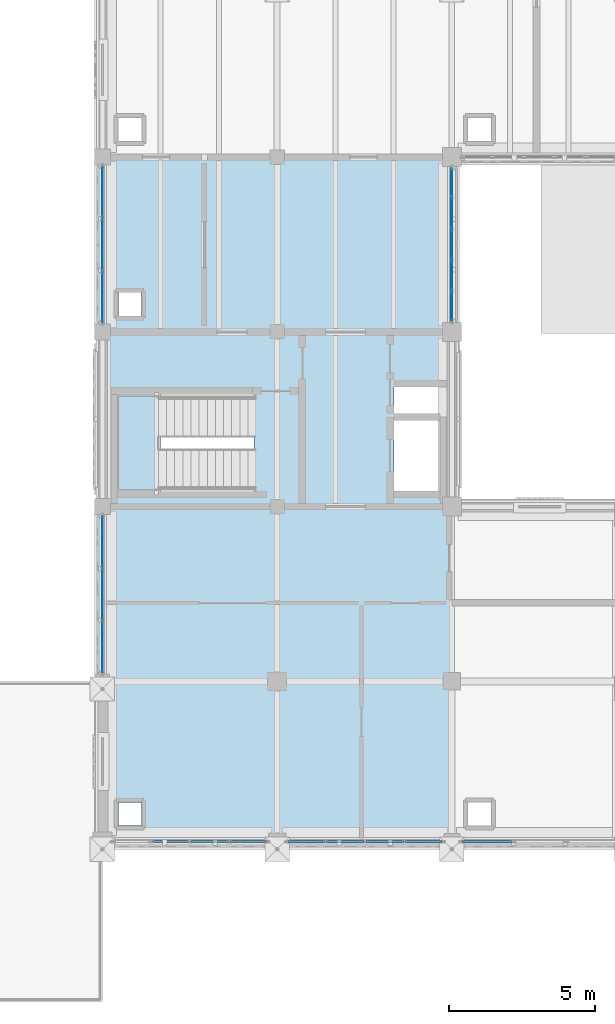
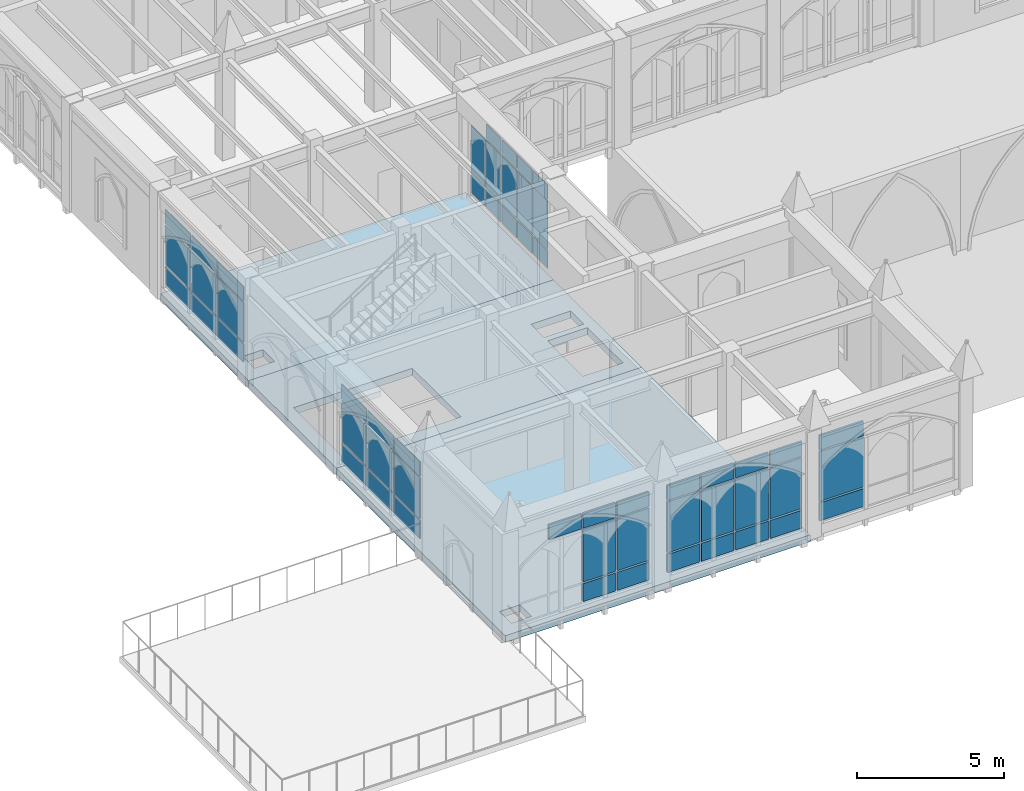
# One storey, part 93 of 143: 54 plates, 4 slabs, 7 elements without a shape of their own.
"""IFC4 building model written with IfcOpenShell, lengths in metres."""

import ifcopenshell
import ifcopenshell.guid

model = None  # the IFC model being written
_history = None  # IfcOwnerHistory: only IFC2X3 demands one
_inside = {}  # id of a spatial element -> (the spatial element, [elements in it])
_under = {}  # id of a project, library or spatial element -> (it, [spatial elements below it])
_declared = {}  # id of a project -> (the project, [libraries it declares])
_typed = {}  # id of a type object -> (the type object, [elements of that type])
_made_of = {}  # id of a material, layer set ... -> (it, [elements and type objects made of it])


def new_model(schema):
    """Start an empty IFC model of exactly this schema.

    Asked for "IFC4X3", IfcOpenShell would pick the latest addendum, in which some entities
    have other attributes; the version numbers below select the first issue.
    IFC2X3 requires an IfcOwnerHistory on every rooted entity: one is made here for all.
    """
    global model, _history
    if schema == "IFC4X3":
        model = ifcopenshell.file(schema_version=(4, 3, 0, 0))
    else:
        model = ifcopenshell.file(schema=schema)
    _inside.clear()
    _under.clear()
    _declared.clear()
    _typed.clear()
    _made_of.clear()
    _history = None
    if model.schema == "IFC2X3":
        org = make("IfcOrganization", Name="unknown")
        user = make(
            "IfcPersonAndOrganization",
            ThePerson=make("IfcPerson", FamilyName="unknown"),
            TheOrganization=org,
        )
        app = make(
            "IfcApplication",
            ApplicationDeveloper=org,
            Version="unknown",
            ApplicationFullName="unknown",
            ApplicationIdentifier="unknown",
        )
        _history = make(
            "IfcOwnerHistory",
            OwningUser=user,
            OwningApplication=app,
            ChangeAction="ADDED",
            CreationDate=0,
        )
    return model


def make(cls, **values):
    """One entity of the class cls with the attributes given. An attribute that is None is left unset."""
    return model.create_entity(
        cls, **{name: value for name, value in values.items() if value is not None}
    )


def rooted(cls, **values):
    """An entity with a GlobalId (a new one), such as an element, a storey or a relation."""
    return make(cls, GlobalId=ifcopenshell.guid.new(), OwnerHistory=_history, **values)


def si_unit(unit_type, name, prefix=None):
    """IfcSIUnit, for example si_unit("LENGTHUNIT", "METRE", prefix="MILLI")."""
    return make("IfcSIUnit", UnitType=unit_type, Prefix=prefix, Name=name)


def assignment(units):
    """IfcUnitAssignment: the units of a project."""
    return None if units is None else make("IfcUnitAssignment", Units=units)


def point(xyz):
    """IfcCartesianPoint."""
    return None if xyz is None else make("IfcCartesianPoint", Coordinates=xyz)


def direction(xyz):
    """IfcDirection."""
    return None if xyz is None else make("IfcDirection", DirectionRatios=xyz)


def frame(location, z_axis=None, x_axis=None):
    """IfcAxis2Placement3D, a coordinate frame: its origin and axes. An axis left out is left unset."""
    return make(
        "IfcAxis2Placement3D",
        Location=point(location),
        Axis=direction(z_axis),
        RefDirection=direction(x_axis),
    )


def frame_2d(location, x_axis=None):
    """IfcAxis2Placement2D, a coordinate frame in the plane: its origin and x axis."""
    return make(
        "IfcAxis2Placement2D", Location=point(location), RefDirection=direction(x_axis)
    )


def origin():
    """The frame at (0, 0, 0) with its axes left unset."""
    return frame((0.0, 0.0, 0.0))


def origin_2d():
    """The frame at (0, 0) in the plane with its x axis left unset."""
    return frame_2d((0.0, 0.0))


def place(relative_to, where):
    """IfcLocalPlacement: puts the frame where relative to a parent placement (None: the world)."""
    return make(
        "IfcLocalPlacement", PlacementRelTo=relative_to, RelativePlacement=where
    )


def context(
    kind, dimensions, precision=None, world=None, true_north=None, identifier=None
):
    """IfcGeometricRepresentationContext, for example the 3D "Model" context."""
    return make(
        "IfcGeometricRepresentationContext",
        ContextIdentifier=identifier,
        ContextType=kind,
        CoordinateSpaceDimension=dimensions,
        Precision=precision,
        WorldCoordinateSystem=world,
        TrueNorth=true_north,
    )


def subcontext(parent, identifier, kind, view, scale=None):
    """IfcGeometricRepresentationSubContext, for example "Body" below "Model"."""
    return make(
        "IfcGeometricRepresentationSubContext",
        ContextIdentifier=identifier,
        ContextType=kind,
        ParentContext=parent,
        TargetScale=scale,
        TargetView=view,
    )


def project(units=None, contexts=None):
    """IfcProject with its units and contexts."""
    return rooted(
        "IfcProject",
        Name="project",
        RepresentationContexts=contexts,
        UnitsInContext=assignment(units),
    )


def spatial(cls, under=None, at=None, **own):
    """A site, building, storey or space (cls), placed at a placement, below another one or the project."""
    s = rooted(cls, ObjectPlacement=at, **own)
    if under is not None:
        _under.setdefault(under.id(), (under, []))[1].append(s)
    return s


def polyline(points):
    """IfcPolyline through the points."""
    return make("IfcPolyline", Points=[point(p) for p in points])


def profile(cls, at=None, kind="AREA", **sizes):
    """A parametric profile (cls). Its sizes go by their IFC names, for example OverallWidth=200.0."""
    return make(cls, ProfileType=kind, Position=at, **sizes)


def rectangle(**sizes):
    """IfcRectangleProfileDef."""
    return profile("IfcRectangleProfileDef", **sizes)


def outline(outer, holes=None, kind="AREA"):
    """IfcArbitraryClosedProfileDef: a profile drawn as a closed curve; with holes, ...WithVoids."""
    if holes is None:
        return make("IfcArbitraryClosedProfileDef", ProfileType=kind, OuterCurve=outer)
    return make(
        "IfcArbitraryProfileDefWithVoids",
        ProfileType=kind,
        OuterCurve=outer,
        InnerCurves=holes,
    )


def extrude(swept, where, along, depth):
    """IfcExtrudedAreaSolid: the profile swept, set in the frame where, extruded along a direction by depth."""
    return make(
        "IfcExtrudedAreaSolid",
        SweptArea=swept,
        Position=where,
        ExtrudedDirection=direction(along),
        Depth=depth,
    )


def shape(context_of_items, identifier, shape_type, items):
    """IfcShapeRepresentation: the items that make up one representation, for example the "Body"."""
    return make(
        "IfcShapeRepresentation",
        ContextOfItems=context_of_items,
        RepresentationIdentifier=identifier,
        RepresentationType=shape_type,
        Items=items,
    )


def material(Name=None, Category=None):
    """IfcMaterial."""
    return make("IfcMaterial", Name=Name, Category=Category)


def layer(
    of_material, thickness, ventilated=None, Name=None, Category=None, Priority=None
):
    """IfcMaterialLayer: one layer of a wall or slab, of a material (None: an air gap)."""
    return make(
        "IfcMaterialLayer",
        Material=of_material,
        LayerThickness=thickness,
        IsVentilated=ventilated,
        Name=Name,
        Category=Category,
        Priority=Priority,
    )


def layer_set(layers, Name=None):
    """IfcMaterialLayerSet."""
    return make("IfcMaterialLayerSet", MaterialLayers=layers, LayerSetName=Name)


def made_of(thing, what):
    """Note that an element or type object is made of a material, layer set ...; save() writes the relation."""
    if what is not None:
        _made_of.setdefault(what.id(), (what, []))[1].append(thing)
    return thing


def type_object(cls, material=None, **own):
    """A type object (cls), such as IfcWallType, which elements share."""
    return made_of(rooted(cls, **own), material)


def element(
    cls,
    number,
    at=None,
    inside=None,
    cuts=None,
    type_object=None,
    material=None,
    context=None,
    identifier="Body",
    shape_type=None,
    held_by="IfcProductDefinitionShape",
    body=None,
    shapes=None,
    **own,
):
    """One element of the class cls, such as IfcWall. Its Tag is "e" and its number.

    at: its placement. inside: the storey or other place that contains it. cuts: it is an
    opening in that element (IfcRelVoidsElement). A single representation is given by context,
    identifier, shape_type and body (its items); several are given by shapes. held_by: the class
    of the entity that holds the representations. save() writes the other relations.
    """
    e = rooted(cls, Tag="e%d" % number, ObjectPlacement=at, **own)
    if body is not None:
        shapes = [shape(context, identifier, shape_type, body)]
    if shapes is not None:
        e.Representation = make(held_by, Representations=shapes)
    if inside is not None:
        _inside.setdefault(inside.id(), (inside, []))[1].append(e)
    if cuts is not None:
        rooted(
            "IfcRelVoidsElement", RelatingBuildingElement=cuts, RelatedOpeningElement=e
        )
    if type_object is not None:
        _typed.setdefault(type_object.id(), (type_object, []))[1].append(e)
    return made_of(e, material)


def aggregate(whole, parts):
    """IfcRelAggregates: a whole, such as a stair, and the parts it consists of."""
    return rooted("IfcRelAggregates", RelatingObject=whole, RelatedObjects=parts)


def save(model, path):
    """Write the relations noted so far, then the file.

    IfcRelAggregates (storeys below a building ...), IfcRelContainedInSpatialStructure (elements
    in a storey), IfcRelDefinesByType, IfcRelAssociatesMaterial and IfcRelDeclares: one each for
    every whole, place, type object, material and project.
    """
    for whole, parts in _under.values():
        aggregate(whole, parts)
    for where, things in _inside.values():
        rooted(
            "IfcRelContainedInSpatialStructure",
            RelatedElements=things,
            RelatingStructure=where,
        )
    for kind, things in _typed.values():
        rooted("IfcRelDefinesByType", RelatedObjects=things, RelatingType=kind)
    for what, things in _made_of.values():
        rooted("IfcRelAssociatesMaterial", RelatedObjects=things, RelatingMaterial=what)
    for by, libraries in _declared.values():
        rooted("IfcRelDeclares", RelatingContext=by, RelatedDefinitions=libraries)
    model.write(path)


model = new_model("IFC4")

# Units and contexts
model_context = context("Model", 3, precision=1e-05, world=origin(), true_north=direction((0.0, 1.0)))
body_context = subcontext(model_context, "Body", "Model", "MODEL_VIEW")
ifc_project = project(units=[si_unit("LENGTHUNIT", "METRE"), si_unit("AREAUNIT", "SQUARE_METRE"), si_unit("VOLUMEUNIT", "CUBIC_METRE"), si_unit("PLANEANGLEUNIT", "RADIAN"), si_unit("MASSUNIT", "GRAM", prefix="KILO")], contexts=[model_context])

# Site, building, storey
site_placement = place(None, origin())
site = spatial("IfcSite", under=ifc_project, at=site_placement, CompositionType="ELEMENT")
building_placement = place(site_placement, origin())
building = spatial("IfcBuilding", under=site, at=building_placement, Name="Cumevento Cable Car Station", CompositionType="ELEMENT")
storey_placement = place(building_placement, frame((0.0, 0.0, 9.0)))
storey = spatial("IfcBuildingStorey", under=building, at=storey_placement, Name="L03", CompositionType="ELEMENT", Elevation=9.0)

# Slabs
ifc_material_1 = material(Name="Concrete C40/50", Category="concrete")
ifc_layer_1 = layer(ifc_material_1, 0.283935546875)
ifc_layer_set_1 = layer_set([ifc_layer_1], Name="Concrete C40/50")
slab_type_1 = type_object("IfcSlabType", Name="Concrete Deck FS-284 284", PredefinedType="FLOOR", material=ifc_layer_set_1)
slab_1_placement = place(storey_placement, frame((0.0, 0.0, -0.283935546875)))
element("IfcSlab", 1, at=slab_1_placement, inside=storey, type_object=slab_type_1, Name="Floor Slab FS-284 L03 B_V4a.1", PredefinedType="FLOOR", context=body_context, shape_type="SweptSolid", body=[
    extrude(outline(polyline([(118.0, 9.5), (130.0, 9.5), (130.0, 21.0), (118.0, 21.0), (118.0, 9.5)]), holes=[polyline([(118.550048828125, 10.050048828125), (119.35009765625, 10.050048828125), (119.35009765625, 10.85009765625), (118.550048828125, 10.85009765625), (118.550048828125, 10.050048828125)])]), origin(), (0.0, 0.0, 1.0), 0.283935546875),
])
ifc_material_2 = material(Name="Concrete C40/50", Category="concrete")
ifc_layer_2 = layer(ifc_material_2, 0.2958984375)
ifc_layer_set_2 = layer_set([ifc_layer_2], Name="Concrete C40/50")
slab_type_2 = type_object("IfcSlabType", Name="Concrete Deck FS-296 296", PredefinedType="FLOOR", material=ifc_layer_set_2)
slab_2_placement = place(storey_placement, frame((0.0, 0.0, -0.2958984375)))
element("IfcSlab", 2, at=slab_2_placement, inside=storey, type_object=slab_type_2, Name="Floor Slab FS-296 L03 B_V4b_core.1", PredefinedType="FLOOR", context=body_context, shape_type="SweptSolid", body=[
    extrude(outline(polyline([(118.0, 21.0), (130.0, 21.0), (130.0, 27.0), (118.0, 27.0), (118.0, 21.0)]), holes=[polyline([(128.010009765625, 21.5400390625), (129.580078125, 21.5400390625), (129.580078125, 23.9599609375), (128.010009765625, 23.9599609375), (128.010009765625, 21.5400390625)]), polyline([(118.52001953125, 21.52001953125), (123.199951171875, 21.52001953125), (123.199951171875, 24.85009765625), (118.52001953125, 24.85009765625), (118.52001953125, 21.52001953125)]), polyline([(128.010009765625, 24.199951171875), (129.580078125, 24.199951171875), (129.580078125, 25.10009765625), (128.010009765625, 25.10009765625), (128.010009765625, 24.199951171875)])]), origin(), (0.0, 0.0, 1.0), 0.2958984375),
])
slab_3_placement = place(storey_placement, frame((0.0, 0.0, -0.2958984375)))
element("IfcSlab", 3, at=slab_3_placement, inside=storey, type_object=slab_type_2, Name="Floor Slab FS-296 L03 B_V4b.1", PredefinedType="FLOOR", context=body_context, shape_type="SweptSolid", body=[
    extrude(outline(polyline([(118.0, 27.0), (130.0, 27.0), (130.0, 33.0), (118.0, 33.0), (118.0, 27.0)]), holes=[polyline([(118.550048828125, 27.550048828125), (119.35009765625, 27.550048828125), (119.35009765625, 28.35009765625), (118.550048828125, 28.35009765625), (118.550048828125, 27.550048828125)])]), origin(), (0.0, 0.0, 1.0), 0.2958984375),
])

# Curtain wall, plates
ifc_material_3 = material(Name="Anodised Bronze Aluminium AW-6063-T6", Category="aluminium")
ifc_layer_3 = layer(ifc_material_3, 0.243896484375)
ifc_layer_set_3 = layer_set([ifc_layer_3], Name="Anodised Bronze Aluminium AW-6063-T6")
curtain_wall_type_1 = type_object("IfcCurtainWallType", Name="Lancet Curtain Wall CW-15 1610", PredefinedType="NOTDEFINED", material=ifc_layer_set_3)
curtain_wall_1_placement = place(storey_placement, origin())
curtain_wall_1 = element("IfcCurtainWall", 4, at=curtain_wall_1_placement, inside=storey, type_object=curtain_wall_type_1, Name="Lancet Curtain Wall CW-15 L03 #126", PredefinedType="NOTDEFINED")
ifc_material_4 = material(Name="Solar Control Laminated Double Glazing", Category="glass")
ifc_layer_4 = layer(ifc_material_4, 0.02197265625)
ifc_layer_set_4 = layer_set([ifc_layer_4], Name="Solar Control Laminated Double Glazing")
plate_type_1 = type_object("IfcPlateType", Name="Glazed Panel CWP-01 22", PredefinedType="CURTAIN_PANEL", material=ifc_layer_set_4)
plate_1_placement = place(storey_placement, frame((118.0, 16.1787109375, 0.525146484375), z_axis=(0.0, 0.0, 1.0), x_axis=(0.0, 1.0, 0.0)))
plate_1 = element("IfcPlate", 5, at=plate_1_placement, type_object=plate_type_1, Name="CW-15 panel 1.1", PredefinedType="CURTAIN_PANEL", context=body_context, shape_type="SweptSolid", body=[
    extrude(rectangle(XDim=1.7275390625, YDim=0.02197265625, at=origin_2d()), origin(), (0.0, 0.0, 1.0), 0.75244140625),
])
plate_2_placement = place(storey_placement, frame((118.0, 16.1787109375, 1.3427734375), z_axis=(0.0, 0.0, 1.0), x_axis=(0.0, 1.0, 0.0)))
plate_2 = element("IfcPlate", 6, at=plate_2_placement, type_object=plate_type_1, Name="CW-15 panel 1.2", PredefinedType="CURTAIN_PANEL", context=body_context, shape_type="SweptSolid", body=[
    extrude(rectangle(XDim=1.7275390625, YDim=0.02197265625, at=origin_2d()), origin(), (0.0, 0.0, 1.0), 1.702880859375),
])
plate_3_placement = place(storey_placement, frame((118.0, 16.1787109375, 3.110595703125), z_axis=(0.0, 0.0, 1.0), x_axis=(0.0, 1.0, 0.0)))
plate_3 = element("IfcPlate", 7, at=plate_3_placement, type_object=plate_type_1, Name="CW-15 panel 1.3", PredefinedType="CURTAIN_PANEL", context=body_context, shape_type="SweptSolid", body=[
    extrude(rectangle(XDim=1.7275390625, YDim=0.02197265625, at=origin_2d()), origin(), (0.0, 0.0, 1.0), 0.6025390625),
])
plate_4_placement = place(storey_placement, frame((118.0, 17.987548828125, 0.525146484375), z_axis=(0.0, 0.0, 1.0), x_axis=(0.0, 1.0, 0.0)))
plate_4 = element("IfcPlate", 8, at=plate_4_placement, type_object=plate_type_1, Name="CW-15 panel 2.1", PredefinedType="CURTAIN_PANEL", context=body_context, shape_type="SweptSolid", body=[
    extrude(rectangle(XDim=1.760009765625, YDim=0.02197265625, at=origin_2d()), origin(), (0.0, 0.0, 1.0), 0.75244140625),
])
plate_5_placement = place(storey_placement, frame((118.0, 17.987548828125, 1.3427734375), z_axis=(0.0, 0.0, 1.0), x_axis=(0.0, 1.0, 0.0)))
plate_5 = element("IfcPlate", 9, at=plate_5_placement, type_object=plate_type_1, Name="CW-15 panel 2.2", PredefinedType="CURTAIN_PANEL", context=body_context, shape_type="SweptSolid", body=[
    extrude(rectangle(XDim=1.760009765625, YDim=0.02197265625, at=origin_2d()), origin(), (0.0, 0.0, 1.0), 1.702880859375),
])
plate_6_placement = place(storey_placement, frame((118.0, 17.987548828125, 3.110595703125), z_axis=(0.0, 0.0, 1.0), x_axis=(0.0, 1.0, 0.0)))
plate_6 = element("IfcPlate", 10, at=plate_6_placement, type_object=plate_type_1, Name="CW-15 panel 2.3", PredefinedType="CURTAIN_PANEL", context=body_context, shape_type="SweptSolid", body=[
    extrude(rectangle(XDim=1.760009765625, YDim=0.02197265625, at=origin_2d()), origin(), (0.0, 0.0, 1.0), 0.6025390625),
])
plate_7_placement = place(storey_placement, frame((118.0, 19.796142578125, 0.525146484375), z_axis=(0.0, 0.0, 1.0), x_axis=(0.0, 1.0, 0.0)))
plate_7 = element("IfcPlate", 11, at=plate_7_placement, type_object=plate_type_1, Name="CW-15 panel 3.1", PredefinedType="CURTAIN_PANEL", context=body_context, shape_type="SweptSolid", body=[
    extrude(rectangle(XDim=1.7275390625, YDim=0.02197265625, at=origin_2d()), origin(), (0.0, 0.0, 1.0), 0.75244140625),
])
plate_8_placement = place(storey_placement, frame((118.0, 19.796142578125, 1.3427734375), z_axis=(0.0, 0.0, 1.0), x_axis=(0.0, 1.0, 0.0)))
plate_8 = element("IfcPlate", 12, at=plate_8_placement, type_object=plate_type_1, Name="CW-15 panel 3.2", PredefinedType="CURTAIN_PANEL", context=body_context, shape_type="SweptSolid", body=[
    extrude(rectangle(XDim=1.7275390625, YDim=0.02197265625, at=origin_2d()), origin(), (0.0, 0.0, 1.0), 1.702880859375),
])
plate_9_placement = place(storey_placement, frame((118.0, 19.796142578125, 3.110595703125), z_axis=(0.0, 0.0, 1.0), x_axis=(0.0, 1.0, 0.0)))
plate_9 = element("IfcPlate", 13, at=plate_9_placement, type_object=plate_type_1, Name="CW-15 panel 3.3", PredefinedType="CURTAIN_PANEL", context=body_context, shape_type="SweptSolid", body=[
    extrude(rectangle(XDim=1.7275390625, YDim=0.02197265625, at=origin_2d()), origin(), (0.0, 0.0, 1.0), 0.6025390625),
])
aggregate(curtain_wall_1, [plate_1, plate_2, plate_3, plate_4, plate_5, plate_6, plate_7, plate_8, plate_9])

ifc_material_5 = material(Name="Anodised Bronze Aluminium AW-6063-T6", Category="aluminium")
ifc_layer_5 = layer(ifc_material_5, 0.25)
ifc_layer_set_5 = layer_set([ifc_layer_5], Name="Anodised Bronze Aluminium AW-6063-T6")
curtain_wall_type_2 = type_object("IfcCurtainWallType", Name="Lancet Curtain Wall CW-16 1650", PredefinedType="NOTDEFINED", material=ifc_layer_set_5)
curtain_wall_2_placement = place(storey_placement, origin())
curtain_wall_2 = element("IfcCurtainWall", 14, at=curtain_wall_2_placement, inside=storey, type_object=curtain_wall_type_2, Name="Lancet Curtain Wall CW-16 L03 #127", PredefinedType="NOTDEFINED")
ifc_material_6 = material(Name="Solar Control Laminated Double Glazing", Category="glass")
ifc_layer_6 = layer(ifc_material_6, 0.02587890625)
ifc_layer_set_6 = layer_set([ifc_layer_6], Name="Solar Control Laminated Double Glazing")
plate_type_2 = type_object("IfcPlateType", Name="Glazed Panel CWP-02 26", PredefinedType="CURTAIN_PANEL", material=ifc_layer_set_6)
plate_10_placement = place(storey_placement, frame((118.0, 28.199462890625, 0.5849609375), z_axis=(0.0, 0.0, 1.0), x_axis=(0.0, 1.0, 0.0)))
plate_10 = element("IfcPlate", 15, at=plate_10_placement, type_object=plate_type_2, Name="CW-16 panel 1.1", PredefinedType="CURTAIN_PANEL", context=body_context, shape_type="SweptSolid", body=[
    extrude(rectangle(XDim=1.71923828125, YDim=0.02587890625, at=origin_2d()), origin(), (0.0, 0.0, 1.0), 0.75244140625),
])
plate_11_placement = place(storey_placement, frame((118.0, 28.199462890625, 1.402587890625), z_axis=(0.0, 0.0, 1.0), x_axis=(0.0, 1.0, 0.0)))
plate_11 = element("IfcPlate", 16, at=plate_11_placement, type_object=plate_type_2, Name="CW-16 panel 1.2", PredefinedType="CURTAIN_PANEL", context=body_context, shape_type="SweptSolid", body=[
    extrude(rectangle(XDim=1.71923828125, YDim=0.02587890625, at=origin_2d()), origin(), (0.0, 0.0, 1.0), 1.64306640625),
])
plate_12_placement = place(storey_placement, frame((118.0, 28.199462890625, 3.110595703125), z_axis=(0.0, 0.0, 1.0), x_axis=(0.0, 1.0, 0.0)))
plate_12 = element("IfcPlate", 17, at=plate_12_placement, type_object=plate_type_2, Name="CW-16 panel 1.3", PredefinedType="CURTAIN_PANEL", context=body_context, shape_type="SweptSolid", body=[
    extrude(rectangle(XDim=1.71923828125, YDim=0.02587890625, at=origin_2d()), origin(), (0.0, 0.0, 1.0), 0.6025390625),
])
plate_13_placement = place(storey_placement, frame((118.0, 30.0, 0.5849609375), z_axis=(0.0, 0.0, 1.0), x_axis=(0.0, 1.0, 0.0)))
plate_13 = element("IfcPlate", 18, at=plate_13_placement, type_object=plate_type_2, Name="CW-16 panel 2.1", PredefinedType="CURTAIN_PANEL", context=body_context, shape_type="SweptSolid", body=[
    extrude(rectangle(XDim=1.751708984375, YDim=0.02587890625, at=origin_2d()), origin(), (0.0, 0.0, 1.0), 0.75244140625),
])
plate_14_placement = place(storey_placement, frame((118.0, 30.0, 1.402587890625), z_axis=(0.0, 0.0, 1.0), x_axis=(0.0, 1.0, 0.0)))
plate_14 = element("IfcPlate", 19, at=plate_14_placement, type_object=plate_type_2, Name="CW-16 panel 2.2", PredefinedType="CURTAIN_PANEL", context=body_context, shape_type="SweptSolid", body=[
    extrude(rectangle(XDim=1.751708984375, YDim=0.02587890625, at=origin_2d()), origin(), (0.0, 0.0, 1.0), 1.64306640625),
])
plate_15_placement = place(storey_placement, frame((118.0, 30.0, 3.110595703125), z_axis=(0.0, 0.0, 1.0), x_axis=(0.0, 1.0, 0.0)))
plate_15 = element("IfcPlate", 20, at=plate_15_placement, type_object=plate_type_2, Name="CW-16 panel 2.3", PredefinedType="CURTAIN_PANEL", context=body_context, shape_type="SweptSolid", body=[
    extrude(rectangle(XDim=1.751708984375, YDim=0.02587890625, at=origin_2d()), origin(), (0.0, 0.0, 1.0), 0.6025390625),
])
plate_16_placement = place(storey_placement, frame((118.0, 31.800537109375, 0.5849609375), z_axis=(0.0, 0.0, 1.0), x_axis=(0.0, 1.0, 0.0)))
plate_16 = element("IfcPlate", 21, at=plate_16_placement, type_object=plate_type_2, Name="CW-16 panel 3.1", PredefinedType="CURTAIN_PANEL", context=body_context, shape_type="SweptSolid", body=[
    extrude(rectangle(XDim=1.71923828125, YDim=0.02587890625, at=origin_2d()), origin(), (0.0, 0.0, 1.0), 0.75244140625),
])
plate_17_placement = place(storey_placement, frame((118.0, 31.800537109375, 1.402587890625), z_axis=(0.0, 0.0, 1.0), x_axis=(0.0, 1.0, 0.0)))
plate_17 = element("IfcPlate", 22, at=plate_17_placement, type_object=plate_type_2, Name="CW-16 panel 3.2", PredefinedType="CURTAIN_PANEL", context=body_context, shape_type="SweptSolid", body=[
    extrude(rectangle(XDim=1.71923828125, YDim=0.02587890625, at=origin_2d()), origin(), (0.0, 0.0, 1.0), 1.64306640625),
])
plate_18_placement = place(storey_placement, frame((118.0, 31.800537109375, 3.110595703125), z_axis=(0.0, 0.0, 1.0), x_axis=(0.0, 1.0, 0.0)))
plate_18 = element("IfcPlate", 23, at=plate_18_placement, type_object=plate_type_2, Name="CW-16 panel 3.3", PredefinedType="CURTAIN_PANEL", context=body_context, shape_type="SweptSolid", body=[
    extrude(rectangle(XDim=1.71923828125, YDim=0.02587890625, at=origin_2d()), origin(), (0.0, 0.0, 1.0), 0.6025390625),
])
aggregate(curtain_wall_2, [plate_10, plate_11, plate_12, plate_13, plate_14, plate_15, plate_16, plate_17, plate_18])

ifc_material_7 = material(Name="Anodised Bronze Aluminium AW-6063-T6", Category="aluminium")
ifc_layer_7 = layer(ifc_material_7, 0.159912109375)
ifc_layer_set_7 = layer_set([ifc_layer_7], Name="Anodised Bronze Aluminium AW-6063-T6")
curtain_wall_type_3 = type_object("IfcCurtainWallType", Name="Lancet Curtain Wall CW-01 1050", PredefinedType="NOTDEFINED", material=ifc_layer_set_7)
curtain_wall_3_placement = place(storey_placement, origin())
curtain_wall_3 = element("IfcCurtainWall", 24, at=curtain_wall_3_placement, inside=storey, type_object=curtain_wall_type_3, Name="Lancet Curtain Wall CW-01 L03 #128", PredefinedType="NOTDEFINED")
ifc_material_8 = material(Name="Solar Control Laminated Double Glazing", Category="glass")
ifc_layer_8 = layer(ifc_material_8, 0.030029296875)
ifc_layer_set_8 = layer_set([ifc_layer_8], Name="Solar Control Laminated Double Glazing")
plate_type_3 = type_object("IfcPlateType", Name="Glazed Panel CWP-03 30", PredefinedType="CURTAIN_PANEL", material=ifc_layer_set_8)
plate_19_placement = place(storey_placement, frame((130.0, 32.123779296875, 0.22509765625), z_axis=(0.0, 0.0, 1.0), x_axis=(0.0, -1.0, 0.0)))
plate_19 = element("IfcPlate", 25, at=plate_19_placement, type_object=plate_type_3, Name="CW-01 panel 1.1", PredefinedType="CURTAIN_PANEL", context=body_context, shape_type="SweptSolid", body=[
    extrude(rectangle(XDim=0.972412109375, YDim=0.030029296875, at=origin_2d()), origin(), (0.0, 0.0, 1.0), 0.75244140625),
])
plate_20_placement = place(storey_placement, frame((130.0, 32.123779296875, 1.04248046875), z_axis=(0.0, 0.0, 1.0), x_axis=(0.0, -1.0, 0.0)))
plate_20 = element("IfcPlate", 26, at=plate_20_placement, type_object=plate_type_3, Name="CW-01 panel 1.2", PredefinedType="CURTAIN_PANEL", context=body_context, shape_type="SweptSolid", body=[
    extrude(rectangle(XDim=0.972412109375, YDim=0.030029296875, at=origin_2d()), origin(), (0.0, 0.0, 1.0), 2.0029296875),
])
plate_21_placement = place(storey_placement, frame((130.0, 31.070068359375, 0.22509765625), z_axis=(0.0, 0.0, 1.0), x_axis=(0.0, -1.0, 0.0)))
plate_21 = element("IfcPlate", 27, at=plate_21_placement, type_object=plate_type_3, Name="CW-01 panel 2.1", PredefinedType="CURTAIN_PANEL", context=body_context, shape_type="SweptSolid", body=[
    extrude(rectangle(XDim=1.0048828125, YDim=0.030029296875, at=origin_2d()), origin(), (0.0, 0.0, 1.0), 0.75244140625),
])
plate_22_placement = place(storey_placement, frame((130.0, 31.070068359375, 1.04248046875), z_axis=(0.0, 0.0, 1.0), x_axis=(0.0, -1.0, 0.0)))
plate_22 = element("IfcPlate", 28, at=plate_22_placement, type_object=plate_type_3, Name="CW-01 panel 2.2", PredefinedType="CURTAIN_PANEL", context=body_context, shape_type="SweptSolid", body=[
    extrude(rectangle(XDim=1.0048828125, YDim=0.030029296875, at=origin_2d()), origin(), (0.0, 0.0, 1.0), 2.0029296875),
])
plate_23_placement = place(storey_placement, frame((130.0, 31.070068359375, 3.110595703125), z_axis=(0.0, 0.0, 1.0), x_axis=(0.0, -1.0, 0.0)))
plate_23 = element("IfcPlate", 29, at=plate_23_placement, type_object=plate_type_3, Name="CW-01 panel 2.3", PredefinedType="CURTAIN_PANEL", context=body_context, shape_type="SweptSolid", body=[
    extrude(rectangle(XDim=1.0048828125, YDim=0.030029296875, at=origin_2d()), origin(), (0.0, 0.0, 1.0), 0.6025390625),
])
plate_24_placement = place(storey_placement, frame((130.0, 30.0, 0.22509765625), z_axis=(0.0, 0.0, 1.0), x_axis=(0.0, -1.0, 0.0)))
plate_24 = element("IfcPlate", 30, at=plate_24_placement, type_object=plate_type_3, Name="CW-01 panel 3.1", PredefinedType="CURTAIN_PANEL", context=body_context, shape_type="SweptSolid", body=[
    extrude(rectangle(XDim=1.0048828125, YDim=0.030029296875, at=origin_2d()), origin(), (0.0, 0.0, 1.0), 0.75244140625),
])
plate_25_placement = place(storey_placement, frame((130.0, 30.0, 1.04248046875), z_axis=(0.0, 0.0, 1.0), x_axis=(0.0, -1.0, 0.0)))
plate_25 = element("IfcPlate", 31, at=plate_25_placement, type_object=plate_type_3, Name="CW-01 panel 3.2", PredefinedType="CURTAIN_PANEL", context=body_context, shape_type="SweptSolid", body=[
    extrude(rectangle(XDim=1.0048828125, YDim=0.030029296875, at=origin_2d()), origin(), (0.0, 0.0, 1.0), 2.0029296875),
])
plate_26_placement = place(storey_placement, frame((130.0, 30.0, 3.110595703125), z_axis=(0.0, 0.0, 1.0), x_axis=(0.0, -1.0, 0.0)))
plate_26 = element("IfcPlate", 32, at=plate_26_placement, type_object=plate_type_3, Name="CW-01 panel 3.3", PredefinedType="CURTAIN_PANEL", context=body_context, shape_type="SweptSolid", body=[
    extrude(rectangle(XDim=1.0048828125, YDim=0.030029296875, at=origin_2d()), origin(), (0.0, 0.0, 1.0), 0.6025390625),
])
plate_27_placement = place(storey_placement, frame((130.0, 28.929931640625, 0.22509765625), z_axis=(0.0, 0.0, 1.0), x_axis=(0.0, -1.0, 0.0)))
plate_27 = element("IfcPlate", 33, at=plate_27_placement, type_object=plate_type_3, Name="CW-01 panel 4.1", PredefinedType="CURTAIN_PANEL", context=body_context, shape_type="SweptSolid", body=[
    extrude(rectangle(XDim=1.0048828125, YDim=0.030029296875, at=origin_2d()), origin(), (0.0, 0.0, 1.0), 0.75244140625),
])
plate_28_placement = place(storey_placement, frame((130.0, 28.929931640625, 1.04248046875), z_axis=(0.0, 0.0, 1.0), x_axis=(0.0, -1.0, 0.0)))
plate_28 = element("IfcPlate", 34, at=plate_28_placement, type_object=plate_type_3, Name="CW-01 panel 4.2", PredefinedType="CURTAIN_PANEL", context=body_context, shape_type="SweptSolid", body=[
    extrude(rectangle(XDim=1.0048828125, YDim=0.030029296875, at=origin_2d()), origin(), (0.0, 0.0, 1.0), 2.0029296875),
])
plate_29_placement = place(storey_placement, frame((130.0, 28.929931640625, 3.110595703125), z_axis=(0.0, 0.0, 1.0), x_axis=(0.0, -1.0, 0.0)))
plate_29 = element("IfcPlate", 35, at=plate_29_placement, type_object=plate_type_3, Name="CW-01 panel 4.3", PredefinedType="CURTAIN_PANEL", context=body_context, shape_type="SweptSolid", body=[
    extrude(rectangle(XDim=1.0048828125, YDim=0.030029296875, at=origin_2d()), origin(), (0.0, 0.0, 1.0), 0.6025390625),
])
plate_30_placement = place(storey_placement, frame((130.0, 27.876220703125, 0.22509765625), z_axis=(0.0, 0.0, 1.0), x_axis=(0.0, -1.0, 0.0)))
plate_30 = element("IfcPlate", 36, at=plate_30_placement, type_object=plate_type_3, Name="CW-01 panel 5.1", PredefinedType="CURTAIN_PANEL", context=body_context, shape_type="SweptSolid", body=[
    extrude(rectangle(XDim=0.972412109375, YDim=0.030029296875, at=origin_2d()), origin(), (0.0, 0.0, 1.0), 0.75244140625),
])
plate_31_placement = place(storey_placement, frame((130.0, 27.876220703125, 1.04248046875), z_axis=(0.0, 0.0, 1.0), x_axis=(0.0, -1.0, 0.0)))
plate_31 = element("IfcPlate", 37, at=plate_31_placement, type_object=plate_type_3, Name="CW-01 panel 5.2", PredefinedType="CURTAIN_PANEL", context=body_context, shape_type="SweptSolid", body=[
    extrude(rectangle(XDim=0.972412109375, YDim=0.030029296875, at=origin_2d()), origin(), (0.0, 0.0, 1.0), 2.0029296875),
])
plate_32_placement = place(storey_placement, frame((130.0, 27.876220703125, 3.110595703125), z_axis=(0.0, 0.0, 1.0), x_axis=(0.0, -1.0, 0.0)))
plate_32 = element("IfcPlate", 38, at=plate_32_placement, type_object=plate_type_3, Name="CW-01 panel 5.3", PredefinedType="CURTAIN_PANEL", context=body_context, shape_type="SweptSolid", body=[
    extrude(rectangle(XDim=0.972412109375, YDim=0.030029296875, at=origin_2d()), origin(), (0.0, 0.0, 1.0), 0.6025390625),
])
aggregate(curtain_wall_3, [plate_19, plate_20, plate_21, plate_22, plate_23, plate_24, plate_25, plate_26, plate_27, plate_28, plate_29, plate_30, plate_31, plate_32])

ifc_material_9 = material(Name="Anodised Bronze Aluminium AW-6063-T6", Category="aluminium")
ifc_layer_9 = layer(ifc_material_9, 0.22607421875)
ifc_layer_set_9 = layer_set([ifc_layer_9], Name="Anodised Bronze Aluminium AW-6063-T6")
curtain_wall_type_4 = type_object("IfcCurtainWallType", Name="Lancet Curtain Wall CW-12 1490", PredefinedType="NOTDEFINED", material=ifc_layer_set_9)
curtain_wall_4_placement = place(storey_placement, origin())
curtain_wall_4 = element("IfcCurtainWall", 39, at=curtain_wall_4_placement, inside=storey, type_object=curtain_wall_type_4, Name="Lancet Curtain Wall CW-12 L03 #123", PredefinedType="NOTDEFINED")
ifc_material_10 = material(Name="Insulated Bronze Aluminium Spandrel Panel", Category="aluminium")
ifc_layer_10 = layer(ifc_material_10, 0.072021484375)
ifc_layer_set_10 = layer_set([ifc_layer_10], Name="Insulated Bronze Aluminium Spandrel Panel")
plate_type_4 = type_object("IfcPlateType", Name="Spandrel Panel CWP-12 72", PredefinedType="CURTAIN_PANEL", material=ifc_layer_set_10)
plate_33_placement = place(storey_placement, frame((123.011962890625, 9.5, 0.375), z_axis=(0.0, 0.0, 1.0), x_axis=(-1.0, 0.0, 0.0)))
plate_33 = element("IfcPlate", 40, at=plate_33_placement, type_object=plate_type_4, Name="CW-12 panel 1.1", PredefinedType="CURTAIN_PANEL", context=body_context, shape_type="SweptSolid", body=[
    extrude(rectangle(XDim=1.246337890625, YDim=0.072021484375, at=origin_2d()), origin(), (0.0, 0.0, 1.0), 0.75244140625),
])
plate_34_placement = place(storey_placement, frame((123.011962890625, 9.5, 1.192626953125), z_axis=(0.0, 0.0, 1.0), x_axis=(-1.0, 0.0, 0.0)))
plate_34 = element("IfcPlate", 41, at=plate_34_placement, type_object=plate_type_4, Name="CW-12 panel 1.2", PredefinedType="CURTAIN_PANEL", context=body_context, shape_type="SweptSolid", body=[
    extrude(rectangle(XDim=1.246337890625, YDim=0.072021484375, at=origin_2d()), origin(), (0.0, 0.0, 1.0), 2.16796875),
])
plate_35_placement = place(storey_placement, frame((123.011962890625, 9.5, 3.425537109375), z_axis=(0.0, 0.0, 1.0), x_axis=(-1.0, 0.0, 0.0)))
plate_35 = element("IfcPlate", 42, at=plate_35_placement, type_object=plate_type_4, Name="CW-12 panel 1.3", PredefinedType="CURTAIN_PANEL", context=body_context, shape_type="SweptSolid", body=[
    extrude(rectangle(XDim=1.246337890625, YDim=0.072021484375, at=origin_2d()), origin(), (0.0, 0.0, 1.0), 0.6025390625),
])
plate_36_placement = place(storey_placement, frame((121.684326171875, 9.5, 0.375), z_axis=(0.0, 0.0, 1.0), x_axis=(-1.0, 0.0, 0.0)))
plate_36 = element("IfcPlate", 43, at=plate_36_placement, type_object=plate_type_4, Name="CW-12 panel 2.1", PredefinedType="CURTAIN_PANEL", context=body_context, shape_type="SweptSolid", body=[
    extrude(rectangle(XDim=1.27880859375, YDim=0.072021484375, at=origin_2d()), origin(), (0.0, 0.0, 1.0), 0.75244140625),
])
plate_37_placement = place(storey_placement, frame((121.684326171875, 9.5, 1.192626953125), z_axis=(0.0, 0.0, 1.0), x_axis=(-1.0, 0.0, 0.0)))
plate_37 = element("IfcPlate", 44, at=plate_37_placement, type_object=plate_type_4, Name="CW-12 panel 2.2", PredefinedType="CURTAIN_PANEL", context=body_context, shape_type="SweptSolid", body=[
    extrude(rectangle(XDim=1.27880859375, YDim=0.072021484375, at=origin_2d()), origin(), (0.0, 0.0, 1.0), 2.16796875),
])
plate_38_placement = place(storey_placement, frame((121.684326171875, 9.5, 3.425537109375), z_axis=(0.0, 0.0, 1.0), x_axis=(-1.0, 0.0, 0.0)))
plate_38 = element("IfcPlate", 45, at=plate_38_placement, type_object=plate_type_4, Name="CW-12 panel 2.3", PredefinedType="CURTAIN_PANEL", context=body_context, shape_type="SweptSolid", body=[
    extrude(rectangle(XDim=1.27880859375, YDim=0.072021484375, at=origin_2d()), origin(), (0.0, 0.0, 1.0), 0.6025390625),
])
plate_39_placement = place(storey_placement, frame((120.340576171875, 9.5, 3.425537109375), z_axis=(0.0, 0.0, 1.0), x_axis=(-1.0, 0.0, 0.0)))
plate_39 = element("IfcPlate", 46, at=plate_39_placement, type_object=plate_type_4, Name="CW-12 panel 3.3", PredefinedType="CURTAIN_PANEL", context=body_context, shape_type="SweptSolid", body=[
    extrude(rectangle(XDim=1.27880859375, YDim=0.072021484375, at=origin_2d()), origin(), (0.0, 0.0, 1.0), 0.6025390625),
])
aggregate(curtain_wall_4, [plate_33, plate_34, plate_35, plate_36, plate_37, plate_38, plate_39])

ifc_material_11 = material(Name="Anodised Bronze Aluminium AW-6063-T6", Category="aluminium")
ifc_layer_11 = layer(ifc_material_11, 0.23193359375)
ifc_layer_set_11 = layer_set([ifc_layer_11], Name="Anodised Bronze Aluminium AW-6063-T6")
curtain_wall_type_5 = type_object("IfcCurtainWallType", Name="Lancet Curtain Wall CW-13 1530", PredefinedType="NOTDEFINED", material=ifc_layer_set_11)
curtain_wall_5_placement = place(storey_placement, origin())
curtain_wall_5 = element("IfcCurtainWall", 47, at=curtain_wall_5_placement, inside=storey, type_object=curtain_wall_type_5, Name="Lancet Curtain Wall CW-13 L03 #124", PredefinedType="NOTDEFINED")
ifc_material_12 = material(Name="Insulated Bronze Aluminium Spandrel Panel", Category="aluminium")
ifc_layer_12 = layer(ifc_material_12, 0.077880859375)
ifc_layer_set_12 = layer_set([ifc_layer_12], Name="Insulated Bronze Aluminium Spandrel Panel")
plate_type_5 = type_object("IfcPlateType", Name="Spandrel Panel CWP-13 78", PredefinedType="CURTAIN_PANEL", material=ifc_layer_set_12)
plate_40_placement = place(storey_placement, frame((129.030517578125, 9.5, 0.425048828125), z_axis=(0.0, 0.0, 1.0), x_axis=(-1.0, 0.0, 0.0)))
plate_40 = element("IfcPlate", 48, at=plate_40_placement, type_object=plate_type_5, Name="CW-13 panel 1.1", PredefinedType="CURTAIN_PANEL", context=body_context, shape_type="SweptSolid", body=[
    extrude(rectangle(XDim=1.2587890625, YDim=0.077880859375, at=origin_2d()), origin(), (0.0, 0.0, 1.0), 0.75244140625),
])
plate_41_placement = place(storey_placement, frame((129.030517578125, 9.5, 1.24267578125), z_axis=(0.0, 0.0, 1.0), x_axis=(-1.0, 0.0, 0.0)))
plate_41 = element("IfcPlate", 49, at=plate_41_placement, type_object=plate_type_5, Name="CW-13 panel 1.2", PredefinedType="CURTAIN_PANEL", context=body_context, shape_type="SweptSolid", body=[
    extrude(rectangle(XDim=1.2587890625, YDim=0.077880859375, at=origin_2d()), origin(), (0.0, 0.0, 1.0), 2.117919921875),
])
plate_42_placement = place(storey_placement, frame((129.030517578125, 9.5, 3.425537109375), z_axis=(0.0, 0.0, 1.0), x_axis=(-1.0, 0.0, 0.0)))
plate_42 = element("IfcPlate", 50, at=plate_42_placement, type_object=plate_type_5, Name="CW-13 panel 1.3", PredefinedType="CURTAIN_PANEL", context=body_context, shape_type="SweptSolid", body=[
    extrude(rectangle(XDim=1.2587890625, YDim=0.077880859375, at=origin_2d()), origin(), (0.0, 0.0, 1.0), 0.6025390625),
])
plate_43_placement = place(storey_placement, frame((127.690673828125, 9.5, 0.425048828125), z_axis=(0.0, 0.0, 1.0), x_axis=(-1.0, 0.0, 0.0)))
plate_43 = element("IfcPlate", 51, at=plate_43_placement, type_object=plate_type_5, Name="CW-13 panel 2.1", PredefinedType="CURTAIN_PANEL", context=body_context, shape_type="SweptSolid", body=[
    extrude(rectangle(XDim=1.291259765625, YDim=0.077880859375, at=origin_2d()), origin(), (0.0, 0.0, 1.0), 0.75244140625),
])
plate_44_placement = place(storey_placement, frame((127.690673828125, 9.5, 1.24267578125), z_axis=(0.0, 0.0, 1.0), x_axis=(-1.0, 0.0, 0.0)))
plate_44 = element("IfcPlate", 52, at=plate_44_placement, type_object=plate_type_5, Name="CW-13 panel 2.2", PredefinedType="CURTAIN_PANEL", context=body_context, shape_type="SweptSolid", body=[
    extrude(rectangle(XDim=1.291259765625, YDim=0.077880859375, at=origin_2d()), origin(), (0.0, 0.0, 1.0), 2.117919921875),
])
plate_45_placement = place(storey_placement, frame((127.690673828125, 9.5, 3.425537109375), z_axis=(0.0, 0.0, 1.0), x_axis=(-1.0, 0.0, 0.0)))
plate_45 = element("IfcPlate", 53, at=plate_45_placement, type_object=plate_type_5, Name="CW-13 panel 2.3", PredefinedType="CURTAIN_PANEL", context=body_context, shape_type="SweptSolid", body=[
    extrude(rectangle(XDim=1.291259765625, YDim=0.077880859375, at=origin_2d()), origin(), (0.0, 0.0, 1.0), 0.6025390625),
])
plate_46_placement = place(storey_placement, frame((126.33447265625, 9.5, 0.425048828125), z_axis=(0.0, 0.0, 1.0), x_axis=(-1.0, 0.0, 0.0)))
plate_46 = element("IfcPlate", 54, at=plate_46_placement, type_object=plate_type_5, Name="CW-13 panel 3.1", PredefinedType="CURTAIN_PANEL", context=body_context, shape_type="SweptSolid", body=[
    extrude(rectangle(XDim=1.291259765625, YDim=0.077880859375, at=origin_2d()), origin(), (0.0, 0.0, 1.0), 0.75244140625),
])
plate_47_placement = place(storey_placement, frame((126.33447265625, 9.5, 1.24267578125), z_axis=(0.0, 0.0, 1.0), x_axis=(-1.0, 0.0, 0.0)))
plate_47 = element("IfcPlate", 55, at=plate_47_placement, type_object=plate_type_5, Name="CW-13 panel 3.2", PredefinedType="CURTAIN_PANEL", context=body_context, shape_type="SweptSolid", body=[
    extrude(rectangle(XDim=1.291259765625, YDim=0.077880859375, at=origin_2d()), origin(), (0.0, 0.0, 1.0), 2.117919921875),
])
plate_48_placement = place(storey_placement, frame((126.33447265625, 9.5, 3.425537109375), z_axis=(0.0, 0.0, 1.0), x_axis=(-1.0, 0.0, 0.0)))
plate_48 = element("IfcPlate", 56, at=plate_48_placement, type_object=plate_type_5, Name="CW-13 panel 3.3", PredefinedType="CURTAIN_PANEL", context=body_context, shape_type="SweptSolid", body=[
    extrude(rectangle(XDim=1.291259765625, YDim=0.077880859375, at=origin_2d()), origin(), (0.0, 0.0, 1.0), 0.6025390625),
])
plate_49_placement = place(storey_placement, frame((124.994384765625, 9.5, 0.425048828125), z_axis=(0.0, 0.0, 1.0), x_axis=(-1.0, 0.0, 0.0)))
plate_49 = element("IfcPlate", 57, at=plate_49_placement, type_object=plate_type_5, Name="CW-13 panel 4.1", PredefinedType="CURTAIN_PANEL", context=body_context, shape_type="SweptSolid", body=[
    extrude(rectangle(XDim=1.2587890625, YDim=0.077880859375, at=origin_2d()), origin(), (0.0, 0.0, 1.0), 0.75244140625),
])
plate_50_placement = place(storey_placement, frame((124.994384765625, 9.5, 1.24267578125), z_axis=(0.0, 0.0, 1.0), x_axis=(-1.0, 0.0, 0.0)))
plate_50 = element("IfcPlate", 58, at=plate_50_placement, type_object=plate_type_5, Name="CW-13 panel 4.2", PredefinedType="CURTAIN_PANEL", context=body_context, shape_type="SweptSolid", body=[
    extrude(rectangle(XDim=1.2587890625, YDim=0.077880859375, at=origin_2d()), origin(), (0.0, 0.0, 1.0), 2.117919921875),
])
plate_51_placement = place(storey_placement, frame((124.994384765625, 9.5, 3.425537109375), z_axis=(0.0, 0.0, 1.0), x_axis=(-1.0, 0.0, 0.0)))
plate_51 = element("IfcPlate", 59, at=plate_51_placement, type_object=plate_type_5, Name="CW-13 panel 4.3", PredefinedType="CURTAIN_PANEL", context=body_context, shape_type="SweptSolid", body=[
    extrude(rectangle(XDim=1.2587890625, YDim=0.077880859375, at=origin_2d()), origin(), (0.0, 0.0, 1.0), 0.6025390625),
])
aggregate(curtain_wall_5, [plate_40, plate_41, plate_42, plate_43, plate_44, plate_45, plate_46, plate_47, plate_48, plate_49, plate_50, plate_51])

ifc_material_13 = material(Name="Anodised Bronze Aluminium AW-6063-T6", Category="aluminium")
ifc_layer_13 = layer(ifc_material_13, 0.238037109375)
ifc_layer_set_13 = layer_set([ifc_layer_13], Name="Anodised Bronze Aluminium AW-6063-T6")
curtain_wall_type_6 = type_object("IfcCurtainWallType", Name="Lancet Curtain Wall CW-14 1570", PredefinedType="NOTDEFINED", material=ifc_layer_set_13)
curtain_wall_6_placement = place(storey_placement, origin())
curtain_wall_6 = element("IfcCurtainWall", 60, at=curtain_wall_6_placement, inside=storey, type_object=curtain_wall_type_6, Name="Lancet Curtain Wall CW-14 L03 #125", PredefinedType="NOTDEFINED")
ifc_material_14 = material(Name="Insulated Bronze Aluminium Spandrel Panel", Category="aluminium")
ifc_layer_14 = layer(ifc_material_14, 0.0849609375)
ifc_layer_set_14 = layer_set([ifc_layer_14], Name="Insulated Bronze Aluminium Spandrel Panel")
plate_type_6 = type_object("IfcPlateType", Name="Spandrel Panel CWP-14 85", PredefinedType="CURTAIN_PANEL", material=ifc_layer_set_14)
plate_52_placement = place(storey_placement, frame((131.203857421875, 9.5, 0.47509765625), z_axis=(0.0, 0.0, 1.0), x_axis=(-1.0, 0.0, 0.0)))
plate_52 = element("IfcPlate", 61, at=plate_52_placement, type_object=plate_type_6, Name="CW-14 panel 3.1", PredefinedType="CURTAIN_PANEL", context=body_context, shape_type="SweptSolid", body=[
    extrude(rectangle(XDim=1.7275390625, YDim=0.0849609375, at=origin_2d()), origin(), (0.0, 0.0, 1.0), 0.75244140625),
])
plate_53_placement = place(storey_placement, frame((131.203857421875, 9.5, 1.29248046875), z_axis=(0.0, 0.0, 1.0), x_axis=(-1.0, 0.0, 0.0)))
plate_53 = element("IfcPlate", 62, at=plate_53_placement, type_object=plate_type_6, Name="CW-14 panel 3.2", PredefinedType="CURTAIN_PANEL", context=body_context, shape_type="SweptSolid", body=[
    extrude(rectangle(XDim=1.7275390625, YDim=0.0849609375, at=origin_2d()), origin(), (0.0, 0.0, 1.0), 2.068115234375),
])
plate_54_placement = place(storey_placement, frame((131.203857421875, 9.5, 3.425537109375), z_axis=(0.0, 0.0, 1.0), x_axis=(-1.0, 0.0, 0.0)))
plate_54 = element("IfcPlate", 63, at=plate_54_placement, type_object=plate_type_6, Name="CW-14 panel 3.3", PredefinedType="CURTAIN_PANEL", context=body_context, shape_type="SweptSolid", body=[
    extrude(rectangle(XDim=1.7275390625, YDim=0.0849609375, at=origin_2d()), origin(), (0.0, 0.0, 1.0), 0.6025390625),
])
aggregate(curtain_wall_6, [plate_52, plate_53, plate_54])

# Stair, slab
ifc_material_15 = material(Name="Concrete C40/50", Category="concrete")
stair_type = type_object("IfcStairType", Name="Half-Turn Stair ST-T07 1440", PredefinedType="HALF_TURN_STAIR", material=ifc_material_15)
stair_placement = place(storey_placement, origin())
stair = element("IfcStair", 64, at=stair_placement, inside=storey, type_object=stair_type, Name="Enclosed Exit Stair ST-05 (L03 to L04)", PredefinedType="HALF_TURN_STAIR")
ifc_material_16 = material(Name="Concrete C40/50", Category="concrete")
ifc_layer_15 = layer(ifc_material_16, 0.23095703125)
ifc_layer_set_15 = layer_set([ifc_layer_15], Name="Concrete C40/50")
slab_type_3 = type_object("IfcSlabType", Name="Stair Landing STL-T07 231", PredefinedType="LANDING", material=ifc_layer_set_15)
slab_4_placement = place(storey_placement, frame((0.0, 0.0, 2.01904296875)))
slab_4 = element("IfcSlab", 65, at=slab_4_placement, type_object=slab_type_3, Name="ST-05-L03 Half-Landing", PredefinedType="LANDING", context=body_context, shape_type="SweptSolid", body=[
    extrude(outline(polyline([(118.43994140625, 21.43994140625), (120.0, 21.43994140625), (120.0, 24.929931640625), (118.43994140625, 24.929931640625), (118.43994140625, 21.43994140625)])), origin(), (0.0, 0.0, 1.0), 0.23095703125),
])
aggregate(stair, [slab_4])

save(model, "model.ifc")
